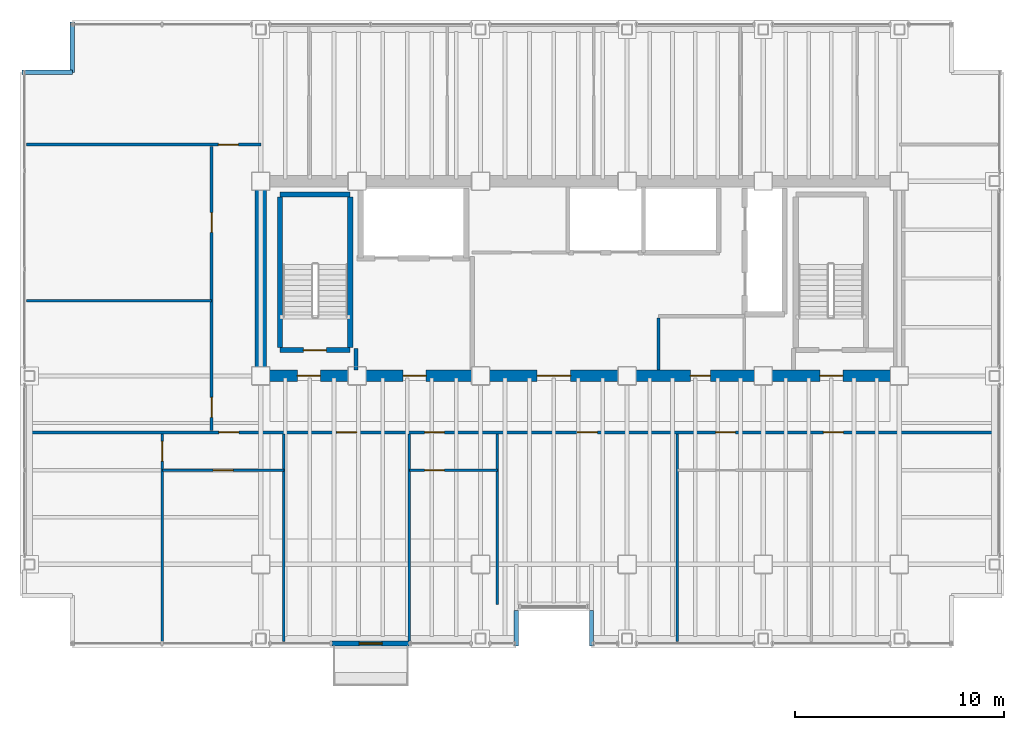
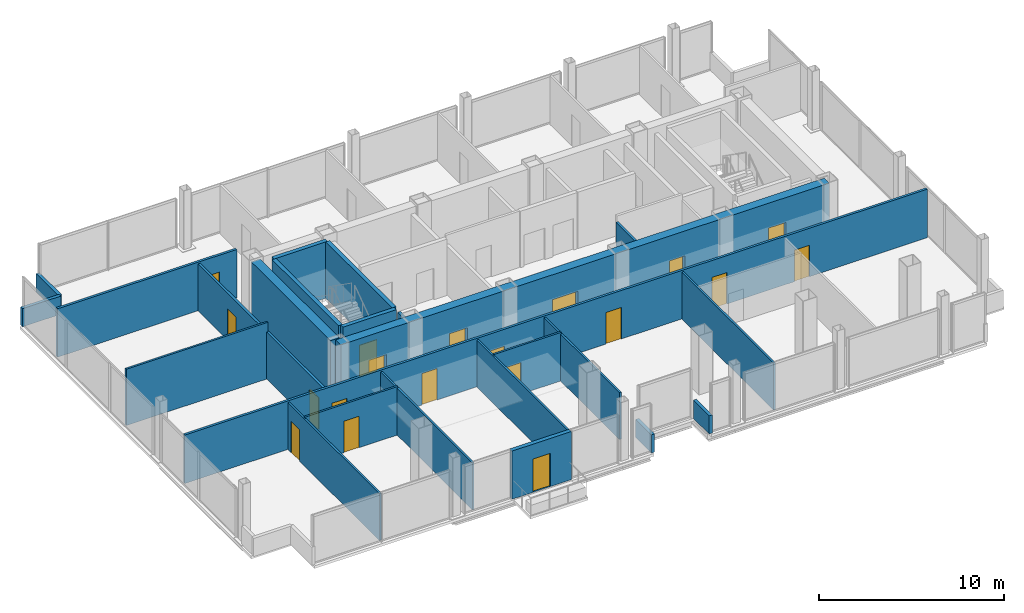
# One storey, part 16 of 19: 24 walls, 19 doors, 19 openings.
"""IFC4 building model written with IfcOpenShell, lengths in metres."""

import ifcopenshell
import ifcopenshell.guid

model = None  # the IFC model being written
_history = None  # IfcOwnerHistory: only IFC2X3 demands one
_inside = {}  # id of a spatial element -> (the spatial element, [elements in it])
_under = {}  # id of a project, library or spatial element -> (it, [spatial elements below it])
_declared = {}  # id of a project -> (the project, [libraries it declares])
_typed = {}  # id of a type object -> (the type object, [elements of that type])
_made_of = {}  # id of a material, layer set ... -> (it, [elements and type objects made of it])


def new_model(schema):
    """Start an empty IFC model of exactly this schema.

    Asked for "IFC4X3", IfcOpenShell would pick the latest addendum, in which some entities
    have other attributes; the version numbers below select the first issue.
    IFC2X3 requires an IfcOwnerHistory on every rooted entity: one is made here for all.
    """
    global model, _history
    if schema == "IFC4X3":
        model = ifcopenshell.file(schema_version=(4, 3, 0, 0))
    else:
        model = ifcopenshell.file(schema=schema)
    _inside.clear()
    _under.clear()
    _declared.clear()
    _typed.clear()
    _made_of.clear()
    _history = None
    if model.schema == "IFC2X3":
        org = make("IfcOrganization", Name="unknown")
        user = make(
            "IfcPersonAndOrganization",
            ThePerson=make("IfcPerson", FamilyName="unknown"),
            TheOrganization=org,
        )
        app = make(
            "IfcApplication",
            ApplicationDeveloper=org,
            Version="unknown",
            ApplicationFullName="unknown",
            ApplicationIdentifier="unknown",
        )
        _history = make(
            "IfcOwnerHistory",
            OwningUser=user,
            OwningApplication=app,
            ChangeAction="ADDED",
            CreationDate=0,
        )
    return model


def make(cls, **values):
    """One entity of the class cls with the attributes given. An attribute that is None is left unset."""
    return model.create_entity(
        cls, **{name: value for name, value in values.items() if value is not None}
    )


def rooted(cls, **values):
    """An entity with a GlobalId (a new one), such as an element, a storey or a relation."""
    return make(cls, GlobalId=ifcopenshell.guid.new(), OwnerHistory=_history, **values)


def si_unit(unit_type, name, prefix=None):
    """IfcSIUnit, for example si_unit("LENGTHUNIT", "METRE", prefix="MILLI")."""
    return make("IfcSIUnit", UnitType=unit_type, Prefix=prefix, Name=name)


def assignment(units):
    """IfcUnitAssignment: the units of a project."""
    return None if units is None else make("IfcUnitAssignment", Units=units)


def point(xyz):
    """IfcCartesianPoint."""
    return None if xyz is None else make("IfcCartesianPoint", Coordinates=xyz)


def direction(xyz):
    """IfcDirection."""
    return None if xyz is None else make("IfcDirection", DirectionRatios=xyz)


def frame(location, z_axis=None, x_axis=None):
    """IfcAxis2Placement3D, a coordinate frame: its origin and axes. An axis left out is left unset."""
    return make(
        "IfcAxis2Placement3D",
        Location=point(location),
        Axis=direction(z_axis),
        RefDirection=direction(x_axis),
    )


def frame_2d(location, x_axis=None):
    """IfcAxis2Placement2D, a coordinate frame in the plane: its origin and x axis."""
    return make(
        "IfcAxis2Placement2D", Location=point(location), RefDirection=direction(x_axis)
    )


def origin():
    """The frame at (0, 0, 0) with its axes left unset."""
    return frame((0.0, 0.0, 0.0))


def place(relative_to, where):
    """IfcLocalPlacement: puts the frame where relative to a parent placement (None: the world)."""
    return make(
        "IfcLocalPlacement", PlacementRelTo=relative_to, RelativePlacement=where
    )


def context(
    kind, dimensions, precision=None, world=None, true_north=None, identifier=None
):
    """IfcGeometricRepresentationContext, for example the 3D "Model" context."""
    return make(
        "IfcGeometricRepresentationContext",
        ContextIdentifier=identifier,
        ContextType=kind,
        CoordinateSpaceDimension=dimensions,
        Precision=precision,
        WorldCoordinateSystem=world,
        TrueNorth=true_north,
    )


def subcontext(parent, identifier, kind, view, scale=None):
    """IfcGeometricRepresentationSubContext, for example "Body" below "Model"."""
    return make(
        "IfcGeometricRepresentationSubContext",
        ContextIdentifier=identifier,
        ContextType=kind,
        ParentContext=parent,
        TargetScale=scale,
        TargetView=view,
    )


def project(units=None, contexts=None):
    """IfcProject with its units and contexts."""
    return rooted(
        "IfcProject",
        Name="project",
        RepresentationContexts=contexts,
        UnitsInContext=assignment(units),
    )


def spatial(cls, under=None, at=None, **own):
    """A site, building, storey or space (cls), placed at a placement, below another one or the project."""
    s = rooted(cls, ObjectPlacement=at, **own)
    if under is not None:
        _under.setdefault(under.id(), (under, []))[1].append(s)
    return s


def profile(cls, at=None, kind="AREA", **sizes):
    """A parametric profile (cls). Its sizes go by their IFC names, for example OverallWidth=200.0."""
    return make(cls, ProfileType=kind, Position=at, **sizes)


def rectangle(**sizes):
    """IfcRectangleProfileDef."""
    return profile("IfcRectangleProfileDef", **sizes)


def extrude(swept, where, along, depth):
    """IfcExtrudedAreaSolid: the profile swept, set in the frame where, extruded along a direction by depth."""
    return make(
        "IfcExtrudedAreaSolid",
        SweptArea=swept,
        Position=where,
        ExtrudedDirection=direction(along),
        Depth=depth,
    )


def shape(context_of_items, identifier, shape_type, items):
    """IfcShapeRepresentation: the items that make up one representation, for example the "Body"."""
    return make(
        "IfcShapeRepresentation",
        ContextOfItems=context_of_items,
        RepresentationIdentifier=identifier,
        RepresentationType=shape_type,
        Items=items,
    )


def material(Name=None, Category=None):
    """IfcMaterial."""
    return make("IfcMaterial", Name=Name, Category=Category)


def layer(
    of_material, thickness, ventilated=None, Name=None, Category=None, Priority=None
):
    """IfcMaterialLayer: one layer of a wall or slab, of a material (None: an air gap)."""
    return make(
        "IfcMaterialLayer",
        Material=of_material,
        LayerThickness=thickness,
        IsVentilated=ventilated,
        Name=Name,
        Category=Category,
        Priority=Priority,
    )


def layer_set(layers, Name=None):
    """IfcMaterialLayerSet."""
    return make("IfcMaterialLayerSet", MaterialLayers=layers, LayerSetName=Name)


def made_of(thing, what):
    """Note that an element or type object is made of a material, layer set ...; save() writes the relation."""
    if what is not None:
        _made_of.setdefault(what.id(), (what, []))[1].append(thing)
    return thing


def type_object(cls, material=None, **own):
    """A type object (cls), such as IfcWallType, which elements share."""
    return made_of(rooted(cls, **own), material)


def element(
    cls,
    number,
    at=None,
    inside=None,
    cuts=None,
    type_object=None,
    material=None,
    context=None,
    identifier="Body",
    shape_type=None,
    held_by="IfcProductDefinitionShape",
    body=None,
    shapes=None,
    **own,
):
    """One element of the class cls, such as IfcWall. Its Tag is "e" and its number.

    at: its placement. inside: the storey or other place that contains it. cuts: it is an
    opening in that element (IfcRelVoidsElement). A single representation is given by context,
    identifier, shape_type and body (its items); several are given by shapes. held_by: the class
    of the entity that holds the representations. save() writes the other relations.
    """
    e = rooted(cls, Tag="e%d" % number, ObjectPlacement=at, **own)
    if body is not None:
        shapes = [shape(context, identifier, shape_type, body)]
    if shapes is not None:
        e.Representation = make(held_by, Representations=shapes)
    if inside is not None:
        _inside.setdefault(inside.id(), (inside, []))[1].append(e)
    if cuts is not None:
        rooted(
            "IfcRelVoidsElement", RelatingBuildingElement=cuts, RelatedOpeningElement=e
        )
    if type_object is not None:
        _typed.setdefault(type_object.id(), (type_object, []))[1].append(e)
    return made_of(e, material)


def fill(opening, filler):
    """IfcRelFillsElement: the door or window that sits in an opening."""
    return rooted(
        "IfcRelFillsElement",
        RelatingOpeningElement=opening,
        RelatedBuildingElement=filler,
    )


def aggregate(whole, parts):
    """IfcRelAggregates: a whole, such as a stair, and the parts it consists of."""
    return rooted("IfcRelAggregates", RelatingObject=whole, RelatedObjects=parts)


def save(model, path):
    """Write the relations noted so far, then the file.

    IfcRelAggregates (storeys below a building ...), IfcRelContainedInSpatialStructure (elements
    in a storey), IfcRelDefinesByType, IfcRelAssociatesMaterial and IfcRelDeclares: one each for
    every whole, place, type object, material and project.
    """
    for whole, parts in _under.values():
        aggregate(whole, parts)
    for where, things in _inside.values():
        rooted(
            "IfcRelContainedInSpatialStructure",
            RelatedElements=things,
            RelatingStructure=where,
        )
    for kind, things in _typed.values():
        rooted("IfcRelDefinesByType", RelatedObjects=things, RelatingType=kind)
    for what, things in _made_of.values():
        rooted("IfcRelAssociatesMaterial", RelatedObjects=things, RelatingMaterial=what)
    for by, libraries in _declared.values():
        rooted("IfcRelDeclares", RelatingContext=by, RelatedDefinitions=libraries)
    model.write(path)


model = new_model("IFC4")

# Units and contexts
model_context = context("Model", 3, precision=1e-05, world=origin(), true_north=direction((0.0, 1.0)))
body_context = subcontext(model_context, "Body", "Model", "MODEL_VIEW")
ifc_project = project(units=[si_unit("LENGTHUNIT", "METRE"), si_unit("AREAUNIT", "SQUARE_METRE"), si_unit("VOLUMEUNIT", "CUBIC_METRE"), si_unit("PLANEANGLEUNIT", "RADIAN"), si_unit("MASSUNIT", "GRAM", prefix="KILO")], contexts=[model_context])

# Site, building, storey
site_placement = place(None, origin())
site = spatial("IfcSite", under=ifc_project, at=site_placement, CompositionType="ELEMENT")
building_placement = place(site_placement, origin())
building = spatial("IfcBuilding", under=site, at=building_placement, Name="Noeulbin Bourse Tower", CompositionType="ELEMENT")
storey_placement = place(building_placement, frame((0.0, 0.0, 153.89990234375)))
storey = spatial("IfcBuildingStorey", under=building, at=storey_placement, Name="L38", CompositionType="ELEMENT", Elevation=153.89990234375)

# Wall, openings, doors
ifc_material_1 = material(Name="Concrete C60/75", Category="concrete")
ifc_layer_1 = layer(ifc_material_1, 0.550048828125)
ifc_layer_set_1 = layer_set([ifc_layer_1], Name="Concrete C60/75")
wall_type_1 = type_object("IfcWallType", Name="WAL-CORE-550", PredefinedType="SHEAR", material=ifc_layer_set_1)
wall_1_placement = place(storey_placement, frame((13.5, 29.0, 0.0), z_axis=(0.0, 0.0, 1.0), x_axis=(1.0, 0.0, 0.0)))
wall_1 = element("IfcWall", 1, at=wall_1_placement, inside=storey, type_object=wall_type_1, Name="Rear Core South Shear Wall L38", PredefinedType="SHEAR", context=body_context, shape_type="SweptSolid", body=[
    extrude(rectangle(XDim=30.5, YDim=0.550048828125, at=frame_2d((15.25, 0.0))), origin(), (0.0, 0.0, 1.0), 3.72021484375),
])
opening_1_placement = place(wall_1_placement, frame((1.75, 0.0, 0.0)))
opening_1 = element("IfcOpeningElement", 2, at=opening_1_placement, cuts=wall_1, Name="Opening FD-11", PredefinedType="OPENING", context=body_context, shape_type="SweptSolid", body=[
    extrude(rectangle(XDim=1.10009765625, YDim=2.080078125, at=frame_2d((0.550048828125, 1.0400390625))), frame((0.0, 0.284912109375, 0.0), z_axis=(0.0, -1.0, 0.0), x_axis=(1.0, 0.0, 0.0)), (0.0, 0.0, 1.0), 0.570068359375),
])
opening_2_placement = place(wall_1_placement, frame((26.699951171875, 0.0, 0.0)))
opening_2 = element("IfcOpeningElement", 3, at=opening_2_placement, cuts=wall_1, Name="Opening FD-11", PredefinedType="OPENING", context=body_context, shape_type="SweptSolid", body=[
    extrude(rectangle(XDim=1.10009765625, YDim=2.080078125, at=frame_2d((0.550048828125, 1.0400390625))), frame((0.0, 0.284912109375, 0.0), z_axis=(0.0, -1.0, 0.0), x_axis=(1.0, 0.0, 0.0)), (0.0, 0.0, 1.0), 0.570068359375),
])
opening_3_placement = place(wall_1_placement, frame((6.800048828125, 0.0, 0.0)))
opening_3 = element("IfcOpeningElement", 4, at=opening_3_placement, cuts=wall_1, Name="Opening FD-11", PredefinedType="OPENING", context=body_context, shape_type="SweptSolid", body=[
    extrude(rectangle(XDim=1.10009765625, YDim=2.080078125, at=frame_2d((0.550048828125, 1.0400390625))), frame((0.0, 0.284912109375, 0.0), z_axis=(0.0, -1.0, 0.0), x_axis=(1.0, 0.0, 0.0)), (0.0, 0.0, 1.0), 0.570068359375),
])
opening_4_placement = place(wall_1_placement, frame((13.199951171875, 0.0, 0.0)))
opening_4 = element("IfcOpeningElement", 5, at=opening_4_placement, cuts=wall_1, Name="Opening ID-16", PredefinedType="OPENING", context=body_context, shape_type="SweptSolid", body=[
    extrude(rectangle(XDim=1.60009765625, YDim=2.080078125, at=frame_2d((0.800048828125, 1.0400390625))), frame((0.0, 0.284912109375, 0.0), z_axis=(0.0, -1.0, 0.0), x_axis=(1.0, 0.0, 0.0)), (0.0, 0.0, 1.0), 0.570068359375),
])
opening_5_placement = place(wall_1_placement, frame((20.52490234375, 0.0, 0.0)))
opening_5 = element("IfcOpeningElement", 6, at=opening_5_placement, cuts=wall_1, Name="Opening ID-09", PredefinedType="OPENING", context=body_context, shape_type="SweptSolid", body=[
    extrude(rectangle(XDim=0.949951171875, YDim=2.080078125, at=frame_2d((0.47509765625, 1.0400390625))), frame((0.0, 0.284912109375, 0.0), z_axis=(0.0, -1.0, 0.0), x_axis=(1.0, 0.0, 0.0)), (0.0, 0.0, 1.0), 0.570068359375),
])
ifc_material_2 = material(Name="Acoustic Glazed Aluminium", Category="aluminium")
door_type_1 = type_object("IfcDoorType", Name="DR-DBL-1600", OperationType="DOUBLE_DOOR_SINGLE_SWING", PredefinedType="DOOR", material=ifc_material_2)
door_1_placement = place(opening_4_placement, origin())
door_1 = element("IfcDoor", 7, at=door_1_placement, inside=storey, type_object=door_type_1, Name="Passenger Lift Lobby Portal L38", OperationType="DOUBLE_DOOR_SINGLE_SWING", OverallHeight=2.080078125, OverallWidth=1.60009765625, PredefinedType="DOOR", context=body_context, shape_type="SweptSolid", body=[
    extrude(rectangle(XDim=1.60009765625, YDim=2.080078125, at=frame_2d((0.800048828125, 1.0400390625))), frame((0.0, 0.02490234375, 0.0), z_axis=(0.0, -1.0, 0.0), x_axis=(1.0, 0.0, 0.0)), (0.0, 0.0, 1.0), 0.050048828125),
])
fill(opening_4, door_1)
ifc_material_3 = material(Name="Fire-Rated Insulated Steel", Category="steel")
door_type_2 = type_object("IfcDoorType", Name="DR-FD60-1100", OperationType="SINGLE_SWING_LEFT", PredefinedType="DOOR", material=ifc_material_3)
door_2_placement = place(opening_1_placement, origin())
door_2 = element("IfcDoor", 8, at=door_2_placement, inside=storey, type_object=door_type_2, Name="West Stair Lobby Door L38", OperationType="SINGLE_SWING_LEFT", OverallHeight=2.080078125, OverallWidth=1.10009765625, PredefinedType="DOOR", context=body_context, shape_type="SweptSolid", body=[
    extrude(rectangle(XDim=1.10009765625, YDim=2.080078125, at=frame_2d((0.550048828125, 1.0400390625))), frame((0.0, 0.02490234375, 0.0), z_axis=(0.0, -1.0, 0.0), x_axis=(1.0, 0.0, 0.0)), (0.0, 0.0, 1.0), 0.050048828125),
])
fill(opening_1, door_2)
door_3_placement = place(opening_2_placement, origin())
door_3 = element("IfcDoor", 9, at=door_3_placement, inside=storey, type_object=door_type_2, Name="East Stair Lobby Door L38", OperationType="SINGLE_SWING_RIGHT", OverallHeight=2.080078125, OverallWidth=1.10009765625, PredefinedType="DOOR", context=body_context, shape_type="SweptSolid", body=[
    extrude(rectangle(XDim=1.10009765625, YDim=2.080078125, at=frame_2d((0.550048828125, 1.0400390625))), frame((0.0, 0.02490234375, 0.0), z_axis=(0.0, -1.0, 0.0), x_axis=(1.0, 0.0, 0.0)), (0.0, 0.0, 1.0), 0.050048828125),
])
fill(opening_2, door_3)
door_4_placement = place(opening_3_placement, origin())
door_4 = element("IfcDoor", 10, at=door_4_placement, inside=storey, type_object=door_type_2, Name="Firefighting Lobby Door L38", OperationType="SINGLE_SWING_LEFT", OverallHeight=2.080078125, OverallWidth=1.10009765625, PredefinedType="DOOR", context=body_context, shape_type="SweptSolid", body=[
    extrude(rectangle(XDim=1.10009765625, YDim=2.080078125, at=frame_2d((0.550048828125, 1.0400390625))), frame((0.0, 0.02490234375, 0.0), z_axis=(0.0, -1.0, 0.0), x_axis=(1.0, 0.0, 0.0)), (0.0, 0.0, 1.0), 0.050048828125),
])
fill(opening_3, door_4)
ifc_material_4 = material(Name="Acoustic Solid-Core Timber", Category="wood")
door_type_3 = type_object("IfcDoorType", Name="DR-SINGLE-950", OperationType="SINGLE_SWING_LEFT", PredefinedType="DOOR", material=ifc_material_4)
door_5_placement = place(opening_5_placement, origin())
door_5 = element("IfcDoor", 11, at=door_5_placement, inside=storey, type_object=door_type_3, Name="Interior Door L38-06", OperationType="SINGLE_SWING_RIGHT", OverallHeight=2.080078125, OverallWidth=0.949951171875, PredefinedType="DOOR", context=body_context, shape_type="SweptSolid", body=[
    extrude(rectangle(XDim=0.949951171875, YDim=2.080078125, at=frame_2d((0.47509765625, 1.0400390625))), frame((0.0, 0.02490234375, 0.0), z_axis=(0.0, -1.0, 0.0), x_axis=(1.0, 0.0, 0.0)), (0.0, 0.0, 1.0), 0.050048828125),
])
fill(opening_5, door_5)

# Wall
wall_2_placement = place(storey_placement, frame((13.5, 29.35009765625, 0.0), z_axis=(0.0, 0.0, 1.0), x_axis=(0.0, 1.0, 0.0)))
element("IfcWall", 12, at=wall_2_placement, inside=storey, type_object=wall_type_1, Name="Rear Core West Shear Wall L38", PredefinedType="SHEAR", context=body_context, shape_type="SweptSolid", body=[
    extrude(rectangle(XDim=8.599853515625, YDim=0.550048828125, at=frame_2d((4.2998046875, 0.0))), origin(), (0.0, 0.0, 1.0), 3.72021484375),
])

# Wall, opening, door
ifc_material_5 = material(Name="Precast Concrete C40/50", Category="concrete")
ifc_layer_2 = layer(ifc_material_5, 0.25)
ifc_layer_set_2 = layer_set([ifc_layer_2], Name="Precast Concrete C40/50")
wall_type_2 = type_object("IfcWallType", Name="WAL-EXT-250", PredefinedType="STANDARD", material=ifc_layer_set_2)
wall_3_placement = place(storey_placement, frame((16.89990234375, 16.219970703125, 0.0), z_axis=(0.0, 0.0, 1.0), x_axis=(1.0, 0.0, 0.0)))
wall_3 = element("IfcWall", 13, at=wall_3_placement, inside=storey, type_object=wall_type_2, Name="Balcony Threshold Wall L38", PredefinedType="STANDARD", context=body_context, shape_type="SweptSolid", body=[
    extrude(rectangle(XDim=3.7001953125, YDim=0.25, at=frame_2d((1.85009765625, 0.0))), origin(), (0.0, 0.0, 1.0), 3.18017578125),
])
opening_6_placement = place(wall_3_placement, frame((1.300048828125, 0.0, 0.0)))
opening_6 = element("IfcOpeningElement", 14, at=opening_6_placement, cuts=wall_3, Name="Opening BD-11", PredefinedType="OPENING", context=body_context, shape_type="SweptSolid", body=[
    extrude(rectangle(XDim=1.10009765625, YDim=2.199951171875, at=frame_2d((0.550048828125, 1.10009765625))), frame((0.0, 0.135009765625, 0.0), z_axis=(0.0, -1.0, 0.0), x_axis=(1.0, 0.0, 0.0)), (0.0, 0.0, 1.0), 0.27001953125),
])
ifc_material_6 = material(Name="Thermally Broken Aluminium Framed Glass", Category="aluminium")
door_type_4 = type_object("IfcDoorType", Name="DR-BAL-1100", OperationType="SINGLE_SWING_LEFT", PredefinedType="DOOR", material=ifc_material_6)
door_6_placement = place(opening_6_placement, origin())
door_6 = element("IfcDoor", 15, at=door_6_placement, inside=storey, type_object=door_type_4, Name="Tree-Balcony Access Door BD-L38", OperationType="SINGLE_SWING_RIGHT", OverallHeight=2.199951171875, OverallWidth=1.10009765625, PredefinedType="DOOR", context=body_context, shape_type="SweptSolid", body=[
    extrude(rectangle(XDim=1.10009765625, YDim=2.199951171875, at=frame_2d((0.550048828125, 1.10009765625))), frame((0.0, 0.02490234375, 0.0), z_axis=(0.0, -1.0, 0.0), x_axis=(1.0, 0.0, 0.0)), (0.0, 0.0, 1.0), 0.050048828125),
])
fill(opening_6, door_6)

# Walls
ifc_material_7 = material(Name="Concrete C40/50", Category="concrete")
ifc_layer_3 = layer(ifc_material_7, 0.199951171875)
ifc_layer_set_3 = layer_set([ifc_layer_3], Name="Concrete C40/50")
wall_type_3 = type_object("IfcWallType", Name="WAL-FIRE-200", PredefinedType="STANDARD", material=ifc_layer_set_3)
wall_4_placement = place(storey_placement, frame((18.050048828125, 29.284912109375, 0.0), z_axis=(0.0, 0.0, 1.0), x_axis=(0.0, 1.0, 0.0)))
element("IfcWall", 16, at=wall_4_placement, inside=storey, type_object=wall_type_3, Name="Interior Partition Wall L38-11", PredefinedType="STANDARD", context=body_context, shape_type="SweptSolid", body=[
    extrude(rectangle(XDim=1.01513671875, YDim=0.199951171875, at=frame_2d((0.507568359375, 0.0))), origin(), (0.0, 0.0, 1.0), 3.35009765625),
])
ifc_layer_4 = layer(ifc_material_7, 0.199951171875)
ifc_layer_set_4 = layer_set([ifc_layer_4], Name="Concrete C40/50")
wall_type_4 = type_object("IfcWallType", Name="WAL-PAR-200", PredefinedType="PARAPET", material=ifc_layer_set_4)
for number, where, z_axis, x_axis, name in (
    (17, (2.10009765625, 43.5, 0.0), (0.0, 0.0, 1.0), (1.0, 0.0, 0.0), "Corner Notch Parapet L38-NW1"),
    (18, (4.5, 43.5, 0.0), (0.0, 0.0, 1.0), (0.0, 1.0, 0.0), "Corner Notch Parapet L38-NW2"),
):
    element("IfcWall", number, at=place(storey_placement, frame(where, z_axis=z_axis, x_axis=x_axis)), inside=storey, type_object=wall_type_4, Name=name, PredefinedType="PARAPET", context=body_context, shape_type="SweptSolid", body=[
        extrude(rectangle(XDim=2.39990234375, YDim=0.199951171875, at=frame_2d((1.199951171875, 0.0))), origin(), (0.0, 0.0, 1.0), 1.2001953125),
    ])
for number, where, z_axis, x_axis, name in (
    (19, (25.699951171875, 16.10009765625, 0.0), (0.0, 0.0, 1.0), (0.0, 1.0, 0.0), "Sky-Garden Recess Parapet L38-W"),
    (20, (29.300048828125, 17.800048828125, 0.0), (0.0, 0.0, 1.0), (0.0, -1.0, 0.0), "Sky-Garden Recess Parapet L38-E"),
):
    element("IfcWall", number, at=place(storey_placement, frame(where, z_axis=z_axis, x_axis=x_axis)), inside=storey, type_object=wall_type_4, Name=name, PredefinedType="PARAPET", context=body_context, shape_type="SweptSolid", body=[
        extrude(rectangle(XDim=1.699951171875, YDim=0.199951171875, at=frame_2d((0.85009765625, 0.0))), origin(), (0.0, 0.0, 1.0), 1.2001953125),
    ])

# Wall, opening, door
ifc_material_8 = material(Name="Steel Stud Gypsum Partition", Category="steel")
ifc_layer_5 = layer(ifc_material_8, 0.1201171875)
ifc_layer_set_5 = layer_set([ifc_layer_5], Name="Steel Stud Gypsum Partition")
wall_type_5 = type_object("IfcWallType", Name="WAL-PRT-120", PredefinedType="PARTITIONING", material=ifc_layer_set_5)
wall_5_placement = place(storey_placement, frame((8.800048828125, 24.5, 0.0), z_axis=(0.0, 0.0, 1.0), x_axis=(1.0, 0.0, 0.0)))
wall_5 = element("IfcWall", 21, at=wall_5_placement, inside=storey, type_object=wall_type_5, Name="Interior Partition Wall L38-05", PredefinedType="PARTITIONING", context=body_context, shape_type="SweptSolid", body=[
    extrude(rectangle(XDim=5.800048828125, YDim=0.1201171875, at=frame_2d((2.89990234375, 0.0))), origin(), (0.0, 0.0, 1.0), 3.2001953125),
])
opening_7_placement = place(wall_5_placement, frame((2.425048828125, 0.0, 0.0)))
opening_7 = element("IfcOpeningElement", 22, at=opening_7_placement, cuts=wall_5, Name="Opening ID-09", PredefinedType="OPENING", context=body_context, shape_type="SweptSolid", body=[
    extrude(rectangle(XDim=0.949951171875, YDim=2.080078125, at=frame_2d((0.47509765625, 1.0400390625))), frame((0.0, 0.070068359375, 0.0), z_axis=(0.0, -1.0, 0.0), x_axis=(1.0, 0.0, 0.0)), (0.0, 0.0, 1.0), 0.14013671875),
])
door_7_placement = place(opening_7_placement, origin())
door_7 = element("IfcDoor", 23, at=door_7_placement, inside=storey, type_object=door_type_3, Name="Interior Door L38-08", OperationType="SINGLE_SWING_RIGHT", OverallHeight=2.080078125, OverallWidth=0.949951171875, PredefinedType="DOOR", context=body_context, shape_type="SweptSolid", body=[
    extrude(rectangle(XDim=0.949951171875, YDim=2.080078125, at=frame_2d((0.47509765625, 1.0400390625))), frame((0.0, 0.02490234375, 0.0), z_axis=(0.0, -1.0, 0.0), x_axis=(1.0, 0.0, 0.0)), (0.0, 0.0, 1.0), 0.050048828125),
])
fill(opening_7, door_7)

wall_6_placement = place(storey_placement, frame((20.60009765625, 24.5, 0.0), z_axis=(0.0, 0.0, 1.0), x_axis=(1.0, 0.0, 0.0)))
wall_6 = element("IfcWall", 24, at=wall_6_placement, inside=storey, type_object=wall_type_5, Name="Interior Partition Wall L38-06", PredefinedType="PARTITIONING", context=body_context, shape_type="SweptSolid", body=[
    extrude(rectangle(XDim=4.199951171875, YDim=0.1201171875, at=frame_2d((2.10009765625, 0.0))), origin(), (0.0, 0.0, 1.0), 3.2001953125),
])
opening_8_placement = place(wall_6_placement, frame((0.72509765625, 0.0, 0.0)))
opening_8 = element("IfcOpeningElement", 25, at=opening_8_placement, cuts=wall_6, Name="Opening ID-09", PredefinedType="OPENING", context=body_context, shape_type="SweptSolid", body=[
    extrude(rectangle(XDim=0.949951171875, YDim=2.080078125, at=frame_2d((0.47509765625, 1.0400390625))), frame((0.0, 0.070068359375, 0.0), z_axis=(0.0, -1.0, 0.0), x_axis=(1.0, 0.0, 0.0)), (0.0, 0.0, 1.0), 0.14013671875),
])
door_8_placement = place(opening_8_placement, origin())
door_8 = element("IfcDoor", 26, at=door_8_placement, inside=storey, type_object=door_type_3, Name="Interior Door L38-11", OperationType="SINGLE_SWING_LEFT", OverallHeight=2.080078125, OverallWidth=0.949951171875, PredefinedType="DOOR", context=body_context, shape_type="SweptSolid", body=[
    extrude(rectangle(XDim=0.949951171875, YDim=2.080078125, at=frame_2d((0.47509765625, 1.0400390625))), frame((0.0, 0.02490234375, 0.0), z_axis=(0.0, -1.0, 0.0), x_axis=(1.0, 0.0, 0.0)), (0.0, 0.0, 1.0), 0.050048828125),
])
fill(opening_8, door_8)

# Wall
wall_7_placement = place(storey_placement, frame((2.31005859375, 32.60009765625, 0.0), z_axis=(0.0, 0.0, 1.0), x_axis=(1.0, 0.0, 0.0)))
element("IfcWall", 27, at=wall_7_placement, inside=storey, type_object=wall_type_5, Name="Interior Partition Wall L38-08", PredefinedType="PARTITIONING", context=body_context, shape_type="SweptSolid", body=[
    extrude(rectangle(XDim=8.83984375, YDim=0.1201171875, at=frame_2d((4.419921875, 0.0))), origin(), (0.0, 0.0, 1.0), 3.72021484375),
])

# Wall, opening, door
wall_8_placement = place(storey_placement, frame((8.800048828125, 16.31005859375, 0.0), z_axis=(0.0, 0.0, 1.0), x_axis=(0.0, 1.0, 0.0)))
wall_8 = element("IfcWall", 28, at=wall_8_placement, inside=storey, type_object=wall_type_5, Name="Interior Partition Wall L38-17", PredefinedType="PARTITIONING", context=body_context, shape_type="SweptSolid", body=[
    extrude(rectangle(XDim=9.905029296875, YDim=0.1201171875, at=frame_2d((4.95263671875, 0.0))), origin(), (0.0, 0.0, 1.0), 3.10009765625),
])
opening_9_placement = place(wall_8_placement, frame((8.614990234375, 0.0, 0.0)))
opening_9 = element("IfcOpeningElement", 29, at=opening_9_placement, cuts=wall_8, Name="Opening ID-09", PredefinedType="OPENING", context=body_context, shape_type="SweptSolid", body=[
    extrude(rectangle(XDim=0.949951171875, YDim=2.080078125, at=frame_2d((0.47509765625, 1.0400390625))), frame((0.0, 0.070068359375, 0.0), z_axis=(0.0, -1.0, 0.0), x_axis=(1.0, 0.0, 0.0)), (0.0, 0.0, 1.0), 0.14013671875),
])
door_9_placement = place(opening_9_placement, origin())
door_9 = element("IfcDoor", 30, at=door_9_placement, inside=storey, type_object=door_type_3, Name="Interior Door L38-07", OperationType="SINGLE_SWING_LEFT", OverallHeight=2.080078125, OverallWidth=0.949951171875, PredefinedType="DOOR", context=body_context, shape_type="SweptSolid", body=[
    extrude(rectangle(XDim=0.949951171875, YDim=2.080078125, at=frame_2d((0.47509765625, 1.0400390625))), frame((0.0, 0.02490234375, 0.0), z_axis=(0.0, -1.0, 0.0), x_axis=(1.0, 0.0, 0.0)), (0.0, 0.0, 1.0), 0.050048828125),
])
fill(opening_9, door_9)

# Walls
for number, where, z_axis, x_axis, name in (
    (31, (14.60009765625, 16.31005859375, 0.0), (0.0, 0.0, 1.0), (0.0, 1.0, 0.0), "Interior Partition Wall L38-18"),
    (32, (20.60009765625, 16.31005859375, 0.0), (0.0, 0.0, 1.0), (0.0, 1.0, 0.0), "Interior Partition Wall L38-19"),
):
    element("IfcWall", number, at=place(storey_placement, frame(where, z_axis=z_axis, x_axis=x_axis)), inside=storey, type_object=wall_type_5, Name=name, PredefinedType="PARTITIONING", context=body_context, shape_type="SweptSolid", body=[
        extrude(rectangle(XDim=9.905029296875, YDim=0.1201171875, at=frame_2d((4.95263671875, 0.0))), origin(), (0.0, 0.0, 1.0), 3.10009765625),
    ])
wall_9_placement = place(storey_placement, frame((24.800048828125, 18.070068359375, 0.0), z_axis=(0.0, 0.0, 1.0), x_axis=(0.0, 1.0, 0.0)))
element("IfcWall", 33, at=wall_9_placement, inside=storey, type_object=wall_type_5, Name="Interior Partition Wall L38-20", PredefinedType="PARTITIONING", context=body_context, shape_type="SweptSolid", body=[
    extrude(rectangle(XDim=8.14501953125, YDim=0.1201171875, at=frame_2d((4.072509765625, 0.0))), origin(), (0.0, 0.0, 1.0), 3.10009765625),
])
wall_10_placement = place(storey_placement, frame((33.39990234375, 16.31005859375, 0.0), z_axis=(0.0, 0.0, 1.0), x_axis=(0.0, 1.0, 0.0)))
element("IfcWall", 34, at=wall_10_placement, inside=storey, type_object=wall_type_5, Name="Interior Partition Wall L38-21", PredefinedType="PARTITIONING", context=body_context, shape_type="SweptSolid", body=[
    extrude(rectangle(XDim=9.905029296875, YDim=0.1201171875, at=frame_2d((4.95263671875, 0.0))), origin(), (0.0, 0.0, 1.0), 3.10009765625),
])

# Wall, openings, doors
ifc_material_9 = material(Name="Steel Stud Acoustic Gypsum Board", Category="steel")
ifc_layer_6 = layer(ifc_material_9, 0.14990234375)
ifc_layer_set_6 = layer_set([ifc_layer_6], Name="Steel Stud Acoustic Gypsum Board")
wall_type_6 = type_object("IfcWallType", Name="WAL-PRT-150", PredefinedType="PARTITIONING", material=ifc_layer_set_6)
wall_11_placement = place(storey_placement, frame((2.31005859375, 26.300048828125, 0.0), z_axis=(0.0, 0.0, 1.0), x_axis=(1.0, 0.0, 0.0)))
wall_11 = element("IfcWall", 35, at=wall_11_placement, inside=storey, type_object=wall_type_6, Name="Interior Partition Wall L38-04", PredefinedType="PARTITIONING", context=body_context, shape_type="SweptSolid", body=[
    extrude(rectangle(XDim=46.3798828125, YDim=0.14990234375, at=frame_2d((23.18994140625, 0.0))), origin(), (0.0, 0.0, 1.0), 3.2001953125),
])
opening_10_placement = place(wall_11_placement, frame((9.18994140625, 0.0, 0.0)))
opening_10 = element("IfcOpeningElement", 36, at=opening_10_placement, cuts=wall_11, Name="Opening ID-09", PredefinedType="OPENING", context=body_context, shape_type="SweptSolid", body=[
    extrude(rectangle(XDim=0.949951171875, YDim=2.080078125, at=frame_2d((0.47509765625, 1.0400390625))), frame((0.0, 0.0849609375, 0.0), z_axis=(0.0, -1.0, 0.0), x_axis=(1.0, 0.0, 0.0)), (0.0, 0.0, 1.0), 0.169921875),
])
opening_11_placement = place(wall_11_placement, frame((14.81494140625, 0.0, 0.0)))
opening_11 = element("IfcOpeningElement", 37, at=opening_11_placement, cuts=wall_11, Name="Opening ID-09", PredefinedType="OPENING", context=body_context, shape_type="SweptSolid", body=[
    extrude(rectangle(XDim=0.949951171875, YDim=2.080078125, at=frame_2d((0.47509765625, 1.0400390625))), frame((0.0, 0.0849609375, 0.0), z_axis=(0.0, -1.0, 0.0), x_axis=(1.0, 0.0, 0.0)), (0.0, 0.0, 1.0), 0.169921875),
])
opening_12_placement = place(wall_11_placement, frame((19.014892578125, 0.0, 0.0)))
opening_12 = element("IfcOpeningElement", 38, at=opening_12_placement, cuts=wall_11, Name="Opening ID-09", PredefinedType="OPENING", context=body_context, shape_type="SweptSolid", body=[
    extrude(rectangle(XDim=0.949951171875, YDim=2.080078125, at=frame_2d((0.47509765625, 1.0400390625))), frame((0.0, 0.0849609375, 0.0), z_axis=(0.0, -1.0, 0.0), x_axis=(1.0, 0.0, 0.0)), (0.0, 0.0, 1.0), 0.169921875),
])
opening_13_placement = place(wall_11_placement, frame((26.31494140625, 0.0, 0.0)))
opening_13 = element("IfcOpeningElement", 39, at=opening_13_placement, cuts=wall_11, Name="Opening ID-09", PredefinedType="OPENING", context=body_context, shape_type="SweptSolid", body=[
    extrude(rectangle(XDim=0.949951171875, YDim=2.080078125, at=frame_2d((0.47509765625, 1.0400390625))), frame((0.0, 0.0849609375, 0.0), z_axis=(0.0, -1.0, 0.0), x_axis=(1.0, 0.0, 0.0)), (0.0, 0.0, 1.0), 0.169921875),
])
opening_14_placement = place(wall_11_placement, frame((32.9150390625, 0.0, 0.0)))
opening_14 = element("IfcOpeningElement", 40, at=opening_14_placement, cuts=wall_11, Name="Opening ID-09", PredefinedType="OPENING", context=body_context, shape_type="SweptSolid", body=[
    extrude(rectangle(XDim=0.949951171875, YDim=2.080078125, at=frame_2d((0.47509765625, 1.0400390625))), frame((0.0, 0.0849609375, 0.0), z_axis=(0.0, -1.0, 0.0), x_axis=(1.0, 0.0, 0.0)), (0.0, 0.0, 1.0), 0.169921875),
])
opening_15_placement = place(wall_11_placement, frame((38.06494140625, 0.0, 0.0)))
opening_15 = element("IfcOpeningElement", 41, at=opening_15_placement, cuts=wall_11, Name="Opening ID-09", PredefinedType="OPENING", context=body_context, shape_type="SweptSolid", body=[
    extrude(rectangle(XDim=0.949951171875, YDim=2.080078125, at=frame_2d((0.47509765625, 1.0400390625))), frame((0.0, 0.0849609375, 0.0), z_axis=(0.0, -1.0, 0.0), x_axis=(1.0, 0.0, 0.0)), (0.0, 0.0, 1.0), 0.169921875),
])
door_10_placement = place(opening_10_placement, origin())
door_10 = element("IfcDoor", 42, at=door_10_placement, inside=storey, type_object=door_type_3, Name="Interior Door L38-09", OperationType="SINGLE_SWING_LEFT", OverallHeight=2.080078125, OverallWidth=0.949951171875, PredefinedType="DOOR", context=body_context, shape_type="SweptSolid", body=[
    extrude(rectangle(XDim=0.949951171875, YDim=2.080078125, at=frame_2d((0.47509765625, 1.0400390625))), frame((0.0, 0.02490234375, 0.0), z_axis=(0.0, -1.0, 0.0), x_axis=(1.0, 0.0, 0.0)), (0.0, 0.0, 1.0), 0.050048828125),
])
fill(opening_10, door_10)
door_11_placement = place(opening_11_placement, origin())
door_11 = element("IfcDoor", 43, at=door_11_placement, inside=storey, type_object=door_type_3, Name="Interior Door L38-10", OperationType="SINGLE_SWING_RIGHT", OverallHeight=2.080078125, OverallWidth=0.949951171875, PredefinedType="DOOR", context=body_context, shape_type="SweptSolid", body=[
    extrude(rectangle(XDim=0.949951171875, YDim=2.080078125, at=frame_2d((0.47509765625, 1.0400390625))), frame((0.0, 0.02490234375, 0.0), z_axis=(0.0, -1.0, 0.0), x_axis=(1.0, 0.0, 0.0)), (0.0, 0.0, 1.0), 0.050048828125),
])
fill(opening_11, door_11)
door_12_placement = place(opening_12_placement, origin())
door_12 = element("IfcDoor", 44, at=door_12_placement, inside=storey, type_object=door_type_3, Name="Interior Door L38-12", OperationType="SINGLE_SWING_RIGHT", OverallHeight=2.080078125, OverallWidth=0.949951171875, PredefinedType="DOOR", context=body_context, shape_type="SweptSolid", body=[
    extrude(rectangle(XDim=0.949951171875, YDim=2.080078125, at=frame_2d((0.47509765625, 1.0400390625))), frame((0.0, 0.02490234375, 0.0), z_axis=(0.0, -1.0, 0.0), x_axis=(1.0, 0.0, 0.0)), (0.0, 0.0, 1.0), 0.050048828125),
])
fill(opening_12, door_12)
door_13_placement = place(opening_13_placement, origin())
door_13 = element("IfcDoor", 45, at=door_13_placement, inside=storey, type_object=door_type_3, Name="Interior Door L38-13", OperationType="SINGLE_SWING_LEFT", OverallHeight=2.080078125, OverallWidth=0.949951171875, PredefinedType="DOOR", context=body_context, shape_type="SweptSolid", body=[
    extrude(rectangle(XDim=0.949951171875, YDim=2.080078125, at=frame_2d((0.47509765625, 1.0400390625))), frame((0.0, 0.02490234375, 0.0), z_axis=(0.0, -1.0, 0.0), x_axis=(1.0, 0.0, 0.0)), (0.0, 0.0, 1.0), 0.050048828125),
])
fill(opening_13, door_13)
door_14_placement = place(opening_14_placement, origin())
door_14 = element("IfcDoor", 46, at=door_14_placement, inside=storey, type_object=door_type_3, Name="Interior Door L38-15", OperationType="SINGLE_SWING_LEFT", OverallHeight=2.080078125, OverallWidth=0.949951171875, PredefinedType="DOOR", context=body_context, shape_type="SweptSolid", body=[
    extrude(rectangle(XDim=0.949951171875, YDim=2.080078125, at=frame_2d((0.47509765625, 1.0400390625))), frame((0.0, 0.02490234375, 0.0), z_axis=(0.0, -1.0, 0.0), x_axis=(1.0, 0.0, 0.0)), (0.0, 0.0, 1.0), 0.050048828125),
])
fill(opening_14, door_14)
door_15_placement = place(opening_15_placement, origin())
door_15 = element("IfcDoor", 47, at=door_15_placement, inside=storey, type_object=door_type_3, Name="Interior Door L38-16", OperationType="SINGLE_SWING_RIGHT", OverallHeight=2.080078125, OverallWidth=0.949951171875, PredefinedType="DOOR", context=body_context, shape_type="SweptSolid", body=[
    extrude(rectangle(XDim=0.949951171875, YDim=2.080078125, at=frame_2d((0.47509765625, 1.0400390625))), frame((0.0, 0.02490234375, 0.0), z_axis=(0.0, -1.0, 0.0), x_axis=(1.0, 0.0, 0.0)), (0.0, 0.0, 1.0), 0.050048828125),
])
fill(opening_15, door_15)

# Wall, opening, door
wall_12_placement = place(storey_placement, frame((2.31005859375, 40.050048828125, 0.0), z_axis=(0.0, 0.0, 1.0), x_axis=(1.0, 0.0, 0.0)))
wall_12 = element("IfcWall", 48, at=wall_12_placement, inside=storey, type_object=wall_type_6, Name="Interior Partition Wall L38-09", PredefinedType="PARTITIONING", context=body_context, shape_type="SweptSolid", body=[
    extrude(rectangle(XDim=11.18994140625, YDim=0.14990234375, at=frame_2d((5.594970703125, 0.0))), origin(), (0.0, 0.0, 1.0), 3.2001953125),
])
opening_16_placement = place(wall_12_placement, frame((9.1650390625, 0.0, 0.0)))
opening_16 = element("IfcOpeningElement", 49, at=opening_16_placement, cuts=wall_12, Name="Opening ID-09", PredefinedType="OPENING", context=body_context, shape_type="SweptSolid", body=[
    extrude(rectangle(XDim=0.949951171875, YDim=2.080078125, at=frame_2d((0.47509765625, 1.0400390625))), frame((0.0, 0.0849609375, 0.0), z_axis=(0.0, -1.0, 0.0), x_axis=(1.0, 0.0, 0.0)), (0.0, 0.0, 1.0), 0.169921875),
])
door_16_placement = place(opening_16_placement, origin())
door_16 = element("IfcDoor", 50, at=door_16_placement, inside=storey, type_object=door_type_3, Name="Interior Door L38-19", OperationType="SINGLE_SWING_LEFT", OverallHeight=2.080078125, OverallWidth=0.949951171875, PredefinedType="DOOR", context=body_context, shape_type="SweptSolid", body=[
    extrude(rectangle(XDim=0.949951171875, YDim=2.080078125, at=frame_2d((0.47509765625, 1.0400390625))), frame((0.0, 0.02490234375, 0.0), z_axis=(0.0, -1.0, 0.0), x_axis=(1.0, 0.0, 0.0)), (0.0, 0.0, 1.0), 0.050048828125),
])
fill(opening_16, door_16)

# Wall
wall_13_placement = place(storey_placement, frame((32.5, 29.284912109375, 0.0), z_axis=(0.0, 0.0, 1.0), x_axis=(0.0, 1.0, 0.0)))
element("IfcWall", 51, at=wall_13_placement, inside=storey, type_object=wall_type_6, Name="Interior Partition Wall L38-14", PredefinedType="PARTITIONING", context=body_context, shape_type="SweptSolid", body=[
    extrude(rectangle(XDim=2.47998046875, YDim=0.14990234375, at=frame_2d((1.239990234375, 0.0))), origin(), (0.0, 0.0, 1.0), 3.35009765625),
])

# Wall, openings, doors
wall_14_placement = place(storey_placement, frame((11.14990234375, 26.385009765625, 0.0), z_axis=(0.0, 0.0, 1.0), x_axis=(0.0, 1.0, 0.0)))
wall_14 = element("IfcWall", 52, at=wall_14_placement, inside=storey, type_object=wall_type_6, Name="Interior Partition Wall L38-16", PredefinedType="PARTITIONING", context=body_context, shape_type="SweptSolid", body=[
    extrude(rectangle(XDim=13.580078125, YDim=0.14990234375, at=frame_2d((6.7900390625, 0.0))), origin(), (0.0, 0.0, 1.0), 3.10009765625),
])
opening_17_placement = place(wall_14_placement, frame((0.639892578125, 0.0, 0.0)))
opening_17 = element("IfcOpeningElement", 53, at=opening_17_placement, cuts=wall_14, Name="Opening ID-09", PredefinedType="OPENING", context=body_context, shape_type="SweptSolid", body=[
    extrude(rectangle(XDim=0.949951171875, YDim=2.080078125, at=frame_2d((0.47509765625, 1.0400390625))), frame((0.0, 0.0849609375, 0.0), z_axis=(0.0, -1.0, 0.0), x_axis=(1.0, 0.0, 0.0)), (0.0, 0.0, 1.0), 0.169921875),
])
opening_18_placement = place(wall_14_placement, frame((9.465087890625, 0.0, 0.0)))
opening_18 = element("IfcOpeningElement", 54, at=opening_18_placement, cuts=wall_14, Name="Opening ID-09", PredefinedType="OPENING", context=body_context, shape_type="SweptSolid", body=[
    extrude(rectangle(XDim=0.949951171875, YDim=2.080078125, at=frame_2d((0.47509765625, 1.0400390625))), frame((0.0, 0.0849609375, 0.0), z_axis=(0.0, -1.0, 0.0), x_axis=(1.0, 0.0, 0.0)), (0.0, 0.0, 1.0), 0.169921875),
])
door_17_placement = place(opening_17_placement, origin())
door_17 = element("IfcDoor", 55, at=door_17_placement, inside=storey, type_object=door_type_3, Name="Interior Door L38-17", OperationType="SINGLE_SWING_LEFT", OverallHeight=2.080078125, OverallWidth=0.949951171875, PredefinedType="DOOR", context=body_context, shape_type="SweptSolid", body=[
    extrude(rectangle(XDim=0.949951171875, YDim=2.080078125, at=frame_2d((0.47509765625, 1.0400390625))), frame((0.0, 0.02490234375, 0.0), z_axis=(0.0, -1.0, 0.0), x_axis=(1.0, 0.0, 0.0)), (0.0, 0.0, 1.0), 0.050048828125),
])
fill(opening_17, door_17)
door_18_placement = place(opening_18_placement, origin())
door_18 = element("IfcDoor", 56, at=door_18_placement, inside=storey, type_object=door_type_3, Name="Interior Door L38-18", OperationType="SINGLE_SWING_RIGHT", OverallHeight=2.080078125, OverallWidth=0.949951171875, PredefinedType="DOOR", context=body_context, shape_type="SweptSolid", body=[
    extrude(rectangle(XDim=0.949951171875, YDim=2.080078125, at=frame_2d((0.47509765625, 1.0400390625))), frame((0.0, 0.02490234375, 0.0), z_axis=(0.0, -1.0, 0.0), x_axis=(1.0, 0.0, 0.0)), (0.0, 0.0, 1.0), 0.050048828125),
])
fill(opening_18, door_18)

# Wall, opening, door
ifc_layer_7 = layer(ifc_material_7, 0.25)
ifc_layer_set_7 = layer_set([ifc_layer_7], Name="Concrete C40/50")
wall_type_7 = type_object("IfcWallType", Name="WAL-SHFT-250", PredefinedType="STANDARD", material=ifc_layer_set_7)
wall_15_placement = place(storey_placement, frame((14.429931640625, 30.235107421875, 0.0), z_axis=(0.0, 0.0, 1.0), x_axis=(1.0, 0.0, 0.0)))
wall_15 = element("IfcWall", 57, at=wall_15_placement, inside=storey, type_object=wall_type_7, Name="Stair ST-1 South Shaft Wall L38", PredefinedType="STANDARD", context=body_context, shape_type="SweptSolid", body=[
    extrude(rectangle(XDim=3.340087890625, YDim=0.25, at=frame_2d((1.669921875, 0.0))), origin(), (0.0, 0.0, 1.0), 3.72021484375),
])
opening_19_placement = place(wall_15_placement, frame((1.10009765625, 0.0, 0.0)))
opening_19 = element("IfcOpeningElement", 58, at=opening_19_placement, cuts=wall_15, Name="Opening FD-11", PredefinedType="OPENING", context=body_context, shape_type="SweptSolid", body=[
    extrude(rectangle(XDim=1.10009765625, YDim=2.080078125, at=frame_2d((0.550048828125, 1.0400390625))), frame((0.0, 0.135009765625, 0.0), z_axis=(0.0, -1.0, 0.0), x_axis=(1.0, 0.0, 0.0)), (0.0, 0.0, 1.0), 0.27001953125),
])
door_19_placement = place(opening_19_placement, origin())
door_19 = element("IfcDoor", 59, at=door_19_placement, inside=storey, type_object=door_type_2, Name="Protected Stair Entry Door ST1-L38", OperationType="SINGLE_SWING_LEFT", OverallHeight=2.080078125, OverallWidth=1.10009765625, PredefinedType="DOOR", context=body_context, shape_type="SweptSolid", body=[
    extrude(rectangle(XDim=1.10009765625, YDim=2.080078125, at=frame_2d((0.550048828125, 1.0400390625))), frame((0.0, 0.02490234375, 0.0), z_axis=(0.0, -1.0, 0.0), x_axis=(1.0, 0.0, 0.0)), (0.0, 0.0, 1.0), 0.050048828125),
])
fill(opening_19, door_19)

# Walls
wall_16_placement = place(storey_placement, frame((14.429931640625, 37.6689453125, 0.0), z_axis=(0.0, 0.0, 1.0), x_axis=(1.0, 0.0, 0.0)))
element("IfcWall", 60, at=wall_16_placement, inside=storey, type_object=wall_type_7, Name="Stair ST-1 North Shaft Wall L38", PredefinedType="STANDARD", context=body_context, shape_type="SweptSolid", body=[
    extrude(rectangle(XDim=3.340087890625, YDim=0.25, at=frame_2d((1.669921875, 0.0))), origin(), (0.0, 0.0, 1.0), 3.72021484375),
])
for number, where, z_axis, x_axis, name in (
    (61, (14.425048828125, 30.360107421875, 0.0), (0.0, 0.0, 1.0), (0.0, 1.0, 0.0), "Stair ST-1 West Shaft Wall L38"),
    (62, (17.77490234375, 30.360107421875, 0.0), (0.0, 0.0, 1.0), (0.0, 1.0, 0.0), "Stair ST-1 East Shaft Wall L38"),
):
    element("IfcWall", number, at=place(storey_placement, frame(where, z_axis=z_axis, x_axis=x_axis)), inside=storey, type_object=wall_type_7, Name=name, PredefinedType="STANDARD", context=body_context, shape_type="SweptSolid", body=[
        extrude(rectangle(XDim=7.183837890625, YDim=0.25, at=frame_2d((3.591796875, 0.0))), origin(), (0.0, 0.0, 1.0), 3.72021484375),
    ])

save(model, "model.ifc")
